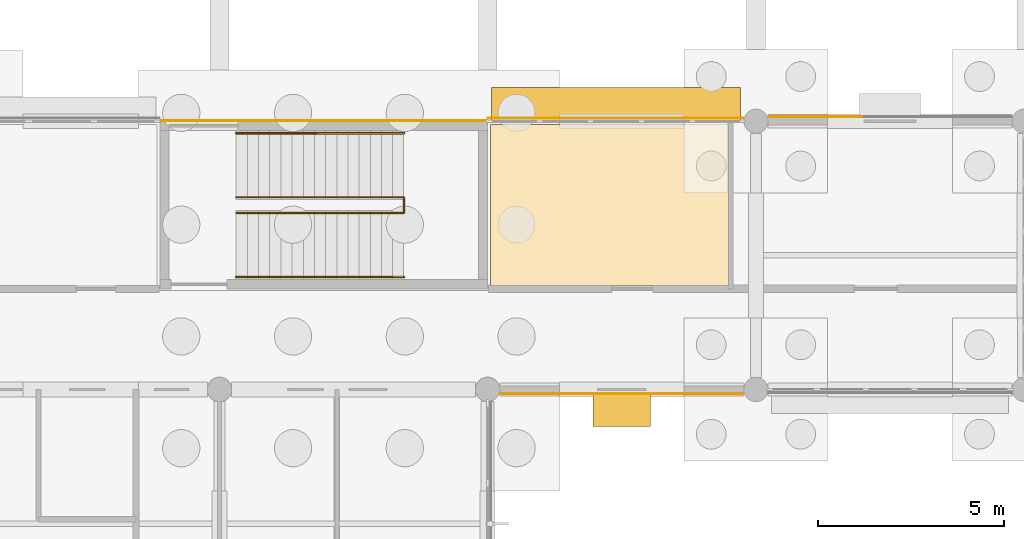
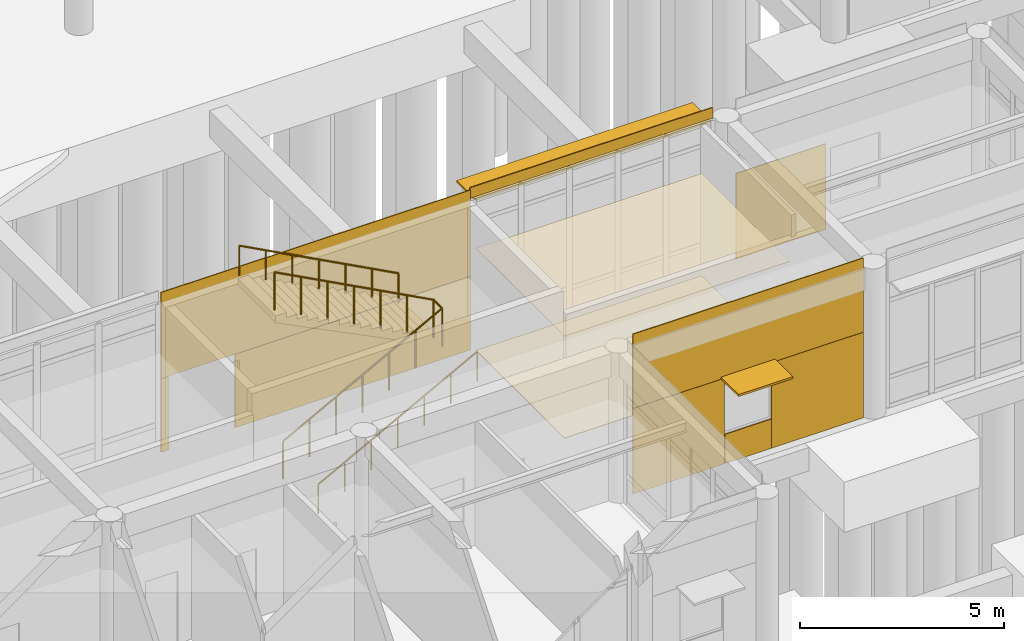
# One storey, part 86 of 103: 11 coverings, 3 railings, 2 shading devices.
"""IFC4 building model written with IfcOpenShell, lengths in metres."""

from ifc_helpers import new_model, si_unit, direction, frame, origin, origin_2d, place, context, subcontext, project, spatial, polyline, rectangle, circle, outline, extrude, material, layer, layer_set, type_object, element, save


model = new_model("IFC4")

# Units and contexts
model_context = context("Model", 3, precision=1e-05, world=origin(), true_north=direction((0.0, 1.0)))
body_context = subcontext(model_context, "Body", "Model", "MODEL_VIEW")
ifc_project = project(units=[si_unit("LENGTHUNIT", "METRE"), si_unit("AREAUNIT", "SQUARE_METRE"), si_unit("VOLUMEUNIT", "CUBIC_METRE"), si_unit("PLANEANGLEUNIT", "RADIAN"), si_unit("MASSUNIT", "GRAM", prefix="KILO")], contexts=[model_context])

# Site, building, storey
site_placement = place(None, origin())
site = spatial("IfcSite", under=ifc_project, at=site_placement, CompositionType="ELEMENT")
building_placement = place(site_placement, origin())
building = spatial("IfcBuilding", under=site, at=building_placement, Name="Namkhue Oval Health Centre", CompositionType="ELEMENT")
storey_placement = place(building_placement, origin())
storey = spatial("IfcBuildingStorey", under=building, at=storey_placement, Name="L00", CompositionType="ELEMENT", Elevation=0.0)

# Coverings
ifc_material_1 = material(Name="Acoustic mineral-fibre cleanroom ceiling", Category="gypsum")
ifc_layer_1 = layer(ifc_material_1, 0.02001953125)
ifc_layer_set_1 = layer_set([ifc_layer_1], Name="Acoustic mineral-fibre cleanroom ceiling")
covering_type_1 = type_object("IfcCoveringType", Name="ACOUSTIC CLEANROOM CEILING 20", PredefinedType="CEILING", material=ifc_layer_set_1)
covering_1_placement = place(storey_placement, frame((0.0, 0.0, 3.050048828125)))
element("IfcCovering", 1, at=covering_1_placement, inside=storey, type_object=covering_type_1, Name="Acoustic Ceiling L00-510 Periodontics Hygiene Room", PredefinedType="CEILING", context=body_context, shape_type="SweptSolid", body=[
    extrude(outline(polyline([(122.47998046875, 24.3798828125), (122.47998046875, 28.715087890625), (128.860107421875, 28.715087890625), (128.860107421875, 24.3798828125), (122.47998046875, 24.3798828125)])), origin(), (0.0, 0.0, 1.0), 0.02001953125),
])
ifc_material_2 = material(Name="Homogeneous anti-bacterial clinical vinyl flooring", Category="plastic")
ifc_layer_2 = layer(ifc_material_2, 0.014892578125)
ifc_layer_set_2 = layer_set([ifc_layer_2], Name="Homogeneous anti-bacterial clinical vinyl flooring")
covering_type_2 = type_object("IfcCoveringType", Name="CLINICAL ANTIBACTERIAL VINYL FLOORING 15", PredefinedType="FLOORING", material=ifc_layer_set_2)
covering_2_placement = place(storey_placement, origin())
element("IfcCovering", 2, at=covering_2_placement, inside=storey, type_object=covering_type_2, Name="Clinical Flooring L00-510 Periodontics Hygiene Room", PredefinedType="FLOORING", context=body_context, shape_type="SweptSolid", body=[
    extrude(outline(polyline([(122.47998046875, 24.3798828125), (122.47998046875, 28.715087890625), (128.860107421875, 28.715087890625), (128.860107421875, 24.3798828125), (122.47998046875, 24.3798828125)])), origin(), (0.0, 0.0, 1.0), 0.014892578125),
])

# Railings
ifc_material_3 = material(Name="Brushed stainless steel 316L balustrade with laminated glass infill", Category="steel")
railing_type_1 = type_object("IfcRailingType", Name="INTERIOR BALUSTRADE GUARD 1150", PredefinedType="BALUSTRADE", material=ifc_material_3)
railing_1_placement = place(storey_placement, frame((115.64990234375, 26.340087890625, 0.0)))
element("IfcRailing", 3, at=railing_1_placement, inside=storey, type_object=railing_type_1, Name="Stair ST-10 L00 Inner Well Guard", PredefinedType="BALUSTRADE", context=body_context, shape_type="SweptSolid", body=[
    extrude(circle(Radius=0.02392578125, at=origin_2d()), frame((0.0, 0.0, 1.1259765625), z_axis=(0.882360891967, 0.0, 0.470573327259), x_axis=(0.0, 1.0, 0.0)), (0.0, 0.0, 1.0), 5.099853515625),
    extrude(circle(Radius=0.02392578125, at=origin_2d()), frame((4.5, 0.0, 3.52587890625), z_axis=(0.0, 1.0, 0.0), x_axis=(-1.0, 0.0, 0.0)), (0.0, 0.0, 1.0), 0.419921875),
    extrude(circle(Radius=0.02392578125, at=origin_2d()), frame((4.5, 0.419921875, 3.52587890625), z_axis=(-0.882341014787, 0.0, 0.470610596591), x_axis=(0.0, -1.0, 0.0)), (0.0, 0.0, 1.0), 5.10009765625),
    extrude(circle(Radius=0.02099609375, at=origin_2d()), origin(), (0.0, 0.0, 1.0), 1.101806640625),
    extrude(circle(Radius=0.02099609375, at=origin_2d()), frame((0.75, 0.0, 0.39990234375)), (0.0, 0.0, 1.0), 1.101806640625),
    extrude(circle(Radius=0.02099609375, at=origin_2d()), frame((1.5, 0.0, 0.800048828125)), (0.0, 0.0, 1.0), 1.101806640625),
    extrude(circle(Radius=0.02099609375, at=origin_2d()), frame((2.25, 0.0, 1.199951171875)), (0.0, 0.0, 1.0), 1.101806640625),
    extrude(circle(Radius=0.02099609375, at=origin_2d()), frame((3.0, 0.0, 1.599853515625)), (0.0, 0.0, 1.0), 1.101806640625),
    extrude(circle(Radius=0.02099609375, at=origin_2d()), frame((3.75, 0.0, 2.0)), (0.0, 0.0, 1.0), 1.101806640625),
    extrude(circle(Radius=0.02099609375, at=origin_2d()), frame((4.5, 0.0, 2.39990234375)), (0.0, 0.0, 1.0), 1.101806640625),
    extrude(circle(Radius=0.02099609375, at=origin_2d()), frame((4.5, 0.419921875, 2.39990234375)), (0.0, 0.0, 1.0), 1.101806640625),
    extrude(circle(Radius=0.02099609375, at=origin_2d()), frame((3.75, 0.419921875, 2.7998046875)), (0.0, 0.0, 1.0), 1.101806640625),
    extrude(circle(Radius=0.02099609375, at=origin_2d()), frame((3.0, 0.419921875, 3.199951171875)), (0.0, 0.0, 1.0), 1.101806640625),
    extrude(circle(Radius=0.02099609375, at=origin_2d()), frame((2.25, 0.419921875, 3.60009765625)), (0.0, 0.0, 1.0), 1.101806640625),
    extrude(circle(Radius=0.02099609375, at=origin_2d()), frame((1.5, 0.419921875, 4.0)), (0.0, 0.0, 1.0), 1.101806640625),
    extrude(circle(Radius=0.02099609375, at=origin_2d()), frame((0.75, 0.419921875, 4.39990234375)), (0.0, 0.0, 1.0), 1.101806640625),
    extrude(circle(Radius=0.02099609375, at=origin_2d()), frame((0.0, 0.419921875, 4.800048828125)), (0.0, 0.0, 1.0), 1.101806640625),
])
ifc_material_4 = material(Name="Brushed stainless steel 304 tubular handrail", Category="steel")
railing_type_2 = type_object("IfcRailingType", Name="INTERIOR STAIR HANDRAIL 900", PredefinedType="HANDRAIL", material=ifc_material_4)
railing_2_placement = place(storey_placement, frame((115.64990234375, 24.6201171875, 0.0)))
element("IfcRailing", 4, at=railing_2_placement, inside=storey, type_object=railing_type_2, Name="Stair ST-10 L00 Flight 1 Handrail", PredefinedType="HANDRAIL", context=body_context, shape_type="SweptSolid", body=[
    extrude(circle(Radius=0.02392578125, at=origin_2d()), frame((0.0, 0.0, 0.8759765625), z_axis=(0.882360891967, 0.0, 0.470573327259), x_axis=(0.0, 1.0, 0.0)), (0.0, 0.0, 1.0), 5.099853515625),
    extrude(circle(Radius=0.02099609375, at=origin_2d()), origin(), (0.0, 0.0, 1.0), 0.851806640625),
    extrude(circle(Radius=0.02099609375, at=origin_2d()), frame((0.75, 0.0, 0.39990234375)), (0.0, 0.0, 1.0), 0.851806640625),
    extrude(circle(Radius=0.02099609375, at=origin_2d()), frame((1.5, 0.0, 0.800048828125)), (0.0, 0.0, 1.0), 0.851806640625),
    extrude(circle(Radius=0.02099609375, at=origin_2d()), frame((2.25, 0.0, 1.199951171875)), (0.0, 0.0, 1.0), 0.851806640625),
    extrude(circle(Radius=0.02099609375, at=origin_2d()), frame((3.0, 0.0, 1.599853515625)), (0.0, 0.0, 1.0), 0.851806640625),
    extrude(circle(Radius=0.02099609375, at=origin_2d()), frame((3.75, 0.0, 2.0)), (0.0, 0.0, 1.0), 0.851806640625),
    extrude(circle(Radius=0.02099609375, at=origin_2d()), frame((4.5, 0.0, 2.39990234375)), (0.0, 0.0, 1.0), 0.851806640625),
])
railing_3_placement = place(storey_placement, frame((120.14990234375, 28.47998046875, 2.39990234375)))
element("IfcRailing", 5, at=railing_3_placement, inside=storey, type_object=railing_type_2, Name="Stair ST-10 L00 Flight 2 Handrail", PredefinedType="HANDRAIL", context=body_context, shape_type="SweptSolid", body=[
    extrude(circle(Radius=0.02392578125, at=origin_2d()), frame((0.0, 0.0, 0.8759765625), z_axis=(-0.882341014787, 0.0, 0.470610596591), x_axis=(0.0, -1.0, 0.0)), (0.0, 0.0, 1.0), 5.10009765625),
    extrude(circle(Radius=0.02099609375, at=origin_2d()), origin(), (0.0, 0.0, 1.0), 0.851806640625),
    extrude(circle(Radius=0.02099609375, at=origin_2d()), frame((-0.75, 0.0, 0.39990234375)), (0.0, 0.0, 1.0), 0.851806640625),
    extrude(circle(Radius=0.02099609375, at=origin_2d()), frame((-1.5, 0.0, 0.800048828125)), (0.0, 0.0, 1.0), 0.851806640625),
    extrude(circle(Radius=0.02099609375, at=origin_2d()), frame((-2.25, 0.0, 1.2001953125)), (0.0, 0.0, 1.0), 0.851806640625),
    extrude(circle(Radius=0.02099609375, at=origin_2d()), frame((-3.0, 0.0, 1.60009765625)), (0.0, 0.0, 1.0), 0.851806640625),
    extrude(circle(Radius=0.02099609375, at=origin_2d()), frame((-3.75, 0.0, 2.0)), (0.0, 0.0, 1.0), 0.851806640625),
    extrude(circle(Radius=0.02099609375, at=origin_2d()), frame((-4.5, 0.0, 2.400146484375)), (0.0, 0.0, 1.0), 0.851806640625),
])

# Shading devices
ifc_material_5 = material(Name="Anodised aluminium EN AW-6063 T6", Category="aluminium")
ifc_layer_3 = layer(ifc_material_5, 0.06005859375)
ifc_layer_set_3 = layer_set([ifc_layer_3], Name="Anodised aluminium EN AW-6063 T6")
shading_device_type = type_object("IfcShadingDeviceType", Name="MONSOON SUN LOUVRE 900", PredefinedType="JALOUSIE", material=ifc_layer_set_3)
shading_device_1_placement = place(storey_placement, frame((126.0, 21.06005859375, 2.580078125), z_axis=(0.0, 0.0, 1.0), x_axis=(1.0, 0.0, 0.0)))
element("IfcShadingDevice", 6, at=shading_device_1_placement, inside=storey, type_object=shading_device_type, Name="Volume V5 L00 Window Monsoon Louvre 242", PredefinedType="JALOUSIE", context=body_context, shape_type="SweptSolid", body=[
    extrude(rectangle(XDim=1.5400390625, YDim=0.89990234375, at=origin_2d()), origin(), (0.0, 0.0, 1.0), 0.06005859375),
])
shading_device_2_placement = place(storey_placement, frame((125.841064453125, 29.25, 4.425048828125), z_axis=(0.0, 0.0, 1.0), x_axis=(-1.0, 0.0, 0.0)))
element("IfcShadingDevice", 7, at=shading_device_2_placement, inside=storey, type_object=shading_device_type, Name="Volume V5 L00 Horizontal Monsoon Sun Louvre 246", PredefinedType="JALOUSIE", context=body_context, shape_type="SweptSolid", body=[
    extrude(rectangle(XDim=6.677978515625, YDim=0.89990234375, at=origin_2d()), origin(), (0.0, 0.0, 1.0), 0.06005859375),
])

# Coverings
ifc_material_6 = material(Name="White glass-fibre reinforced concrete GRC rainscreen cladding", Category="concrete")
ifc_layer_4 = layer(ifc_material_6, 0.02490234375)
ifc_layer_set_4 = layer_set([ifc_layer_4], Name="White glass-fibre reinforced concrete GRC rainscreen cladding")
covering_type_3 = type_object("IfcCoveringType", Name="WHITE GRC RAINSCREEN CLADDING 25", PredefinedType="CLADDING", material=ifc_layer_set_4)
covering_3_placement = place(storey_placement, frame((126.0, 21.488037109375, 2.5751953125), z_axis=(0.0, 0.0, 1.0), x_axis=(1.0, 0.0, 0.0)))
element("IfcCovering", 8, at=covering_3_placement, inside=storey, type_object=covering_type_3, Name="Volume V5 L00 Facade 115 White GRC Cladding 1", PredefinedType="CLADDING", context=body_context, shape_type="SweptSolid", body=[
    extrude(rectangle(XDim=6.52001953125, YDim=0.02490234375, at=origin_2d()), origin(), (0.0, 0.0, 1.0), 2.215087890625),
])
covering_4_placement = place(storey_placement, frame((124.03759765625, 21.488037109375, 0.010009765625), z_axis=(0.0, 0.0, 1.0), x_axis=(1.0, 0.0, 0.0)))
element("IfcCovering", 9, at=covering_4_placement, inside=storey, type_object=covering_type_3, Name="Volume V5 L00 Facade 115 White GRC Cladding 2", PredefinedType="CLADDING", context=body_context, shape_type="SweptSolid", body=[
    extrude(rectangle(XDim=2.594970703125, YDim=0.02490234375, at=origin_2d()), origin(), (0.0, 0.0, 1.0), 2.56005859375),
])
covering_5_placement = place(storey_placement, frame((126.0, 21.488037109375, 0.010009765625), z_axis=(0.0, 0.0, 1.0), x_axis=(1.0, 0.0, 0.0)))
element("IfcCovering", 10, at=covering_5_placement, inside=storey, type_object=covering_type_3, Name="Volume V5 L00 Facade 115 White GRC Cladding 3", PredefinedType="CLADDING", context=body_context, shape_type="SweptSolid", body=[
    extrude(rectangle(XDim=1.320068359375, YDim=0.02490234375, at=origin_2d()), origin(), (0.0, 0.0, 1.0), 0.875),
])
covering_6_placement = place(storey_placement, frame((127.96240234375, 21.488037109375, 0.010009765625), z_axis=(0.0, 0.0, 1.0), x_axis=(1.0, 0.0, 0.0)))
element("IfcCovering", 11, at=covering_6_placement, inside=storey, type_object=covering_type_3, Name="Volume V5 L00 Facade 115 White GRC Cladding 4", PredefinedType="CLADDING", context=body_context, shape_type="SweptSolid", body=[
    extrude(rectangle(XDim=2.594970703125, YDim=0.02490234375, at=origin_2d()), origin(), (0.0, 0.0, 1.0), 2.56005859375),
])
covering_7_placement = place(storey_placement, frame((131.21240234375, 28.9169921875, 0.010009765625), z_axis=(0.0, 0.0, 1.0), x_axis=(-1.0, 0.0, 0.0)))
element("IfcCovering", 12, at=covering_7_placement, inside=storey, type_object=covering_type_3, Name="Volume V5 L00 Facade 116 White GRC Cladding 4", PredefinedType="CLADDING", context=body_context, shape_type="SweptSolid", body=[
    extrude(rectangle(XDim=2.544921875, YDim=0.02490234375, at=origin_2d()), origin(), (0.0, 0.0, 1.0), 2.56005859375),
])
covering_8_placement = place(storey_placement, frame((125.841064453125, 28.888427734375, 4.47998046875), z_axis=(0.0, 0.0, 1.0), x_axis=(-1.0, 0.0, 0.0)))
element("IfcCovering", 13, at=covering_8_placement, inside=storey, type_object=covering_type_3, Name="Volume V5 L00 Curtain Wall Spandrel Cladding 183", PredefinedType="CLADDING", context=body_context, shape_type="SweptSolid", body=[
    extrude(rectangle(XDim=6.867919921875, YDim=0.02490234375, at=origin_2d()), origin(), (0.0, 0.0, 1.0), 0.320068359375),
])
covering_9_placement = place(storey_placement, frame((118.0, 28.81201171875, 2.21484375), z_axis=(0.0, 0.0, 1.0), x_axis=(-1.0, 0.0, 0.0)))
element("IfcCovering", 14, at=covering_9_placement, inside=storey, type_object=covering_type_3, Name="Core SC-10 L00 Core N White GRC Cladding 1", PredefinedType="CLADDING", context=body_context, shape_type="SweptSolid", body=[
    extrude(rectangle(XDim=8.760009765625, YDim=0.02490234375, at=origin_2d()), origin(), (0.0, 0.0, 1.0), 2.574951171875),
])
covering_10_placement = place(storey_placement, frame((119.047607421875, 28.81201171875, 0.01025390625), z_axis=(0.0, 0.0, 1.0), x_axis=(-1.0, 0.0, 0.0)))
element("IfcCovering", 15, at=covering_10_placement, inside=storey, type_object=covering_type_3, Name="Core SC-10 L00 Core N White GRC Cladding 2", PredefinedType="CLADDING", context=body_context, shape_type="SweptSolid", body=[
    extrude(rectangle(XDim=6.6650390625, YDim=0.02490234375, at=origin_2d()), origin(), (0.0, 0.0, 1.0), 2.199951171875),
])
covering_11_placement = place(storey_placement, frame((113.7275390625, 28.81201171875, 0.01025390625), z_axis=(0.0, 0.0, 1.0), x_axis=(-1.0, 0.0, 0.0)))
element("IfcCovering", 16, at=covering_11_placement, inside=storey, type_object=covering_type_3, Name="Core SC-10 L00 Core N White GRC Cladding 3", PredefinedType="CLADDING", context=body_context, shape_type="SweptSolid", body=[
    extrude(rectangle(XDim=0.215087890625, YDim=0.02490234375, at=origin_2d()), origin(), (0.0, 0.0, 1.0), 2.199951171875),
])

save(model, "model.ifc")
